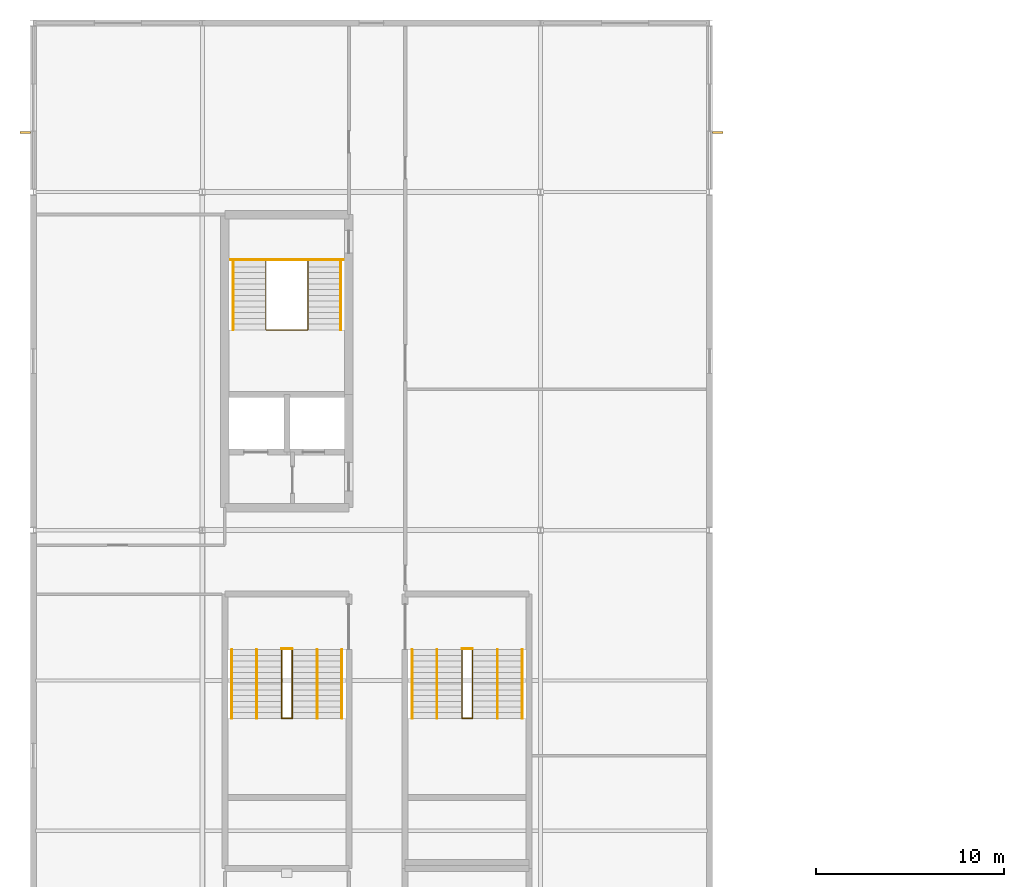
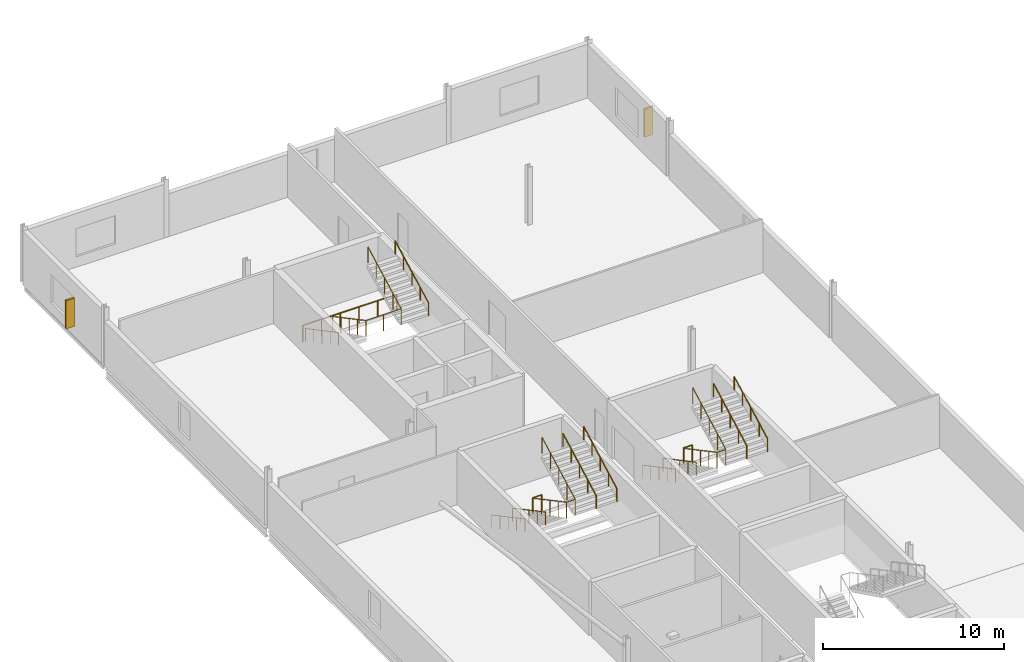
# One storey, part 28 of 31: 16 railings, 2 shading devices.
"""IFC4 building model written with IfcOpenShell, lengths in metres."""

from ifc_helpers import new_model, si_unit, direction, frame, origin, origin_2d, place, context, subcontext, project, spatial, rectangle, circle, extrude, material, type_object, element, save


model = new_model("IFC4")

# Units and contexts
model_context = context("Model", 3, precision=1e-05, world=origin(), true_north=direction((0.0, 1.0)))
body_context = subcontext(model_context, "Body", "Model", "MODEL_VIEW")
ifc_project = project(units=[si_unit("LENGTHUNIT", "METRE"), si_unit("AREAUNIT", "SQUARE_METRE"), si_unit("VOLUMEUNIT", "CUBIC_METRE"), si_unit("PLANEANGLEUNIT", "RADIAN"), si_unit("MASSUNIT", "GRAM", prefix="KILO")], contexts=[model_context])

# Site, building, storey
site_placement = place(None, origin())
site = spatial("IfcSite", under=ifc_project, at=site_placement, CompositionType="ELEMENT")
building_placement = place(site_placement, origin())
building = spatial("IfcBuilding", under=site, at=building_placement, Name="Kisiwana Market Hall", CompositionType="ELEMENT")
storey_placement = place(building_placement, frame((0.0, 0.0, 45.60009765625)))
storey = spatial("IfcBuildingStorey", under=building, at=storey_placement, Name="L10", CompositionType="ELEMENT", Elevation=45.60009765625)

# Railings
ifc_material_1 = material(Name="Steel S275", Category="steel")
railing_type_1 = type_object("IfcRailingType", Name="RL-GUARD-1100", PredefinedType="GUARDRAIL", material=ifc_material_1)
railing_1_placement = place(storey_placement, frame((12.375, 98.325439453125, 0.0)))
element("IfcRailing", 1, at=railing_1_placement, inside=storey, type_object=railing_type_1, Name="Stair ST-W1-L10 inner-well guardrail (RL-1287)", PredefinedType="GUARDRAIL", context=body_context, shape_type="SweptSolid", body=[
    extrude(circle(Radius=0.02392578125, at=origin_2d()), frame((0.0, 0.0, 1.076171875), z_axis=(0.0, -0.88255331184, 0.47021234752), x_axis=(1.0, 0.0, 0.0)), (0.0, 0.0, 1.0), 4.14697265625),
    extrude(circle(Radius=0.02392578125, at=origin_2d()), frame((0.0, -3.659912109375, 3.02587890625), z_axis=(1.0, 0.0, 0.0), x_axis=(0.0, 1.0, 0.0)), (0.0, 0.0, 1.0), 2.25),
    extrude(circle(Radius=0.02392578125, at=origin_2d()), frame((2.25, -3.659912109375, 3.02587890625), z_axis=(0.0, 0.88255331184, 0.47021234752), x_axis=(-1.0, 0.0, 0.0)), (0.0, 0.0, 1.0), 4.14697265625),
    extrude(circle(Radius=0.02099609375, at=origin_2d()), origin(), (0.0, 0.0, 1.0), 1.052001953125),
    extrude(circle(Radius=0.02099609375, at=origin_2d()), frame((0.0, -0.9150390625, 0.487548828125)), (0.0, 0.0, 1.0), 1.052001953125),
    extrude(circle(Radius=0.02099609375, at=origin_2d()), frame((0.0, -1.830078125, 0.97509765625)), (0.0, 0.0, 1.0), 1.052001953125),
    extrude(circle(Radius=0.02099609375, at=origin_2d()), frame((0.0, -2.744873046875, 1.46240234375)), (0.0, 0.0, 1.0), 1.052001953125),
    extrude(circle(Radius=0.02099609375, at=origin_2d()), frame((0.0, -3.659912109375, 1.949951171875)), (0.0, 0.0, 1.0), 1.052001953125),
    extrude(circle(Radius=0.02099609375, at=origin_2d()), frame((1.125, -3.659912109375, 1.949951171875)), (0.0, 0.0, 1.0), 1.052001953125),
    extrude(circle(Radius=0.02099609375, at=origin_2d()), frame((2.25, -3.659912109375, 1.949951171875)), (0.0, 0.0, 1.0), 1.052001953125),
    extrude(circle(Radius=0.02099609375, at=origin_2d()), frame((2.25, -2.744873046875, 2.4375)), (0.0, 0.0, 1.0), 1.052001953125),
    extrude(circle(Radius=0.02099609375, at=origin_2d()), frame((2.25, -1.830078125, 2.9248046875)), (0.0, 0.0, 1.0), 1.052001953125),
    extrude(circle(Radius=0.02099609375, at=origin_2d()), frame((2.25, -0.9150390625, 3.412353515625)), (0.0, 0.0, 1.0), 1.052001953125),
    extrude(circle(Radius=0.02099609375, at=origin_2d()), frame((2.25, 0.0, 3.89990234375)), (0.0, 0.0, 1.0), 1.052001953125),
])
railing_2_placement = place(storey_placement, frame((10.5048828125, 98.405517578125, 0.0)))
element("IfcRailing", 2, at=railing_2_placement, inside=storey, type_object=railing_type_1, Name="Stair ST-W1-L10 landing edge guardrail (RL-1290)", PredefinedType="GUARDRAIL", context=body_context, shape_type="SweptSolid", body=[
    extrude(circle(Radius=0.02392578125, at=origin_2d()), frame((0.0, 0.0, 1.076171875), z_axis=(1.0, 0.0, 0.0), x_axis=(0.0, 1.0, 0.0)), (0.0, 0.0, 1.0), 5.990234375),
    extrude(circle(Radius=0.02099609375, at=origin_2d()), origin(), (0.0, 0.0, 1.0), 1.052001953125),
    extrude(circle(Radius=0.02099609375, at=origin_2d()), frame((1.197998046875, 0.0, 0.0)), (0.0, 0.0, 1.0), 1.052001953125),
    extrude(circle(Radius=0.02099609375, at=origin_2d()), frame((2.39599609375, 0.0, 0.0)), (0.0, 0.0, 1.0), 1.052001953125),
    extrude(circle(Radius=0.02099609375, at=origin_2d()), frame((3.59423828125, 0.0, 0.0)), (0.0, 0.0, 1.0), 1.052001953125),
    extrude(circle(Radius=0.02099609375, at=origin_2d()), frame((4.792236328125, 0.0, 0.0)), (0.0, 0.0, 1.0), 1.052001953125),
    extrude(circle(Radius=0.02099609375, at=origin_2d()), frame((5.990234375, 0.0, 0.0)), (0.0, 0.0, 1.0), 1.052001953125),
])
railing_3_placement = place(storey_placement, frame((13.219970703125, 77.639892578125, 0.0)))
element("IfcRailing", 3, at=railing_3_placement, inside=storey, type_object=railing_type_1, Name="Stair ST-W4-L10 inner-well guardrail (RL-1305)", PredefinedType="GUARDRAIL", context=body_context, shape_type="SweptSolid", body=[
    extrude(circle(Radius=0.02392578125, at=origin_2d()), frame((0.0, 0.0, 1.076171875), z_axis=(0.0, -0.88255331184, 0.47021234752), x_axis=(1.0, 0.0, 0.0)), (0.0, 0.0, 1.0), 4.14697265625),
    extrude(circle(Radius=0.02392578125, at=origin_2d()), frame((0.0, -3.659912109375, 3.02587890625), z_axis=(1.0, 0.0, 0.0), x_axis=(0.0, 1.0, 0.0)), (0.0, 0.0, 1.0), 0.56005859375),
    extrude(circle(Radius=0.02392578125, at=origin_2d()), frame((0.56005859375, -3.659912109375, 3.02587890625), z_axis=(0.0, 0.88255331184, 0.47021234752), x_axis=(-1.0, 0.0, 0.0)), (0.0, 0.0, 1.0), 4.14697265625),
    extrude(circle(Radius=0.02099609375, at=origin_2d()), origin(), (0.0, 0.0, 1.0), 1.052001953125),
    extrude(circle(Radius=0.02099609375, at=origin_2d()), frame((0.0, -0.9150390625, 0.487548828125)), (0.0, 0.0, 1.0), 1.052001953125),
    extrude(circle(Radius=0.02099609375, at=origin_2d()), frame((0.0, -1.830078125, 0.97509765625)), (0.0, 0.0, 1.0), 1.052001953125),
    extrude(circle(Radius=0.02099609375, at=origin_2d()), frame((0.0, -2.744873046875, 1.46240234375)), (0.0, 0.0, 1.0), 1.052001953125),
    extrude(circle(Radius=0.02099609375, at=origin_2d()), frame((0.0, -3.659912109375, 1.949951171875)), (0.0, 0.0, 1.0), 1.052001953125),
    extrude(circle(Radius=0.02099609375, at=origin_2d()), frame((0.56005859375, -3.659912109375, 1.949951171875)), (0.0, 0.0, 1.0), 1.052001953125),
    extrude(circle(Radius=0.02099609375, at=origin_2d()), frame((0.56005859375, -2.744873046875, 2.4375)), (0.0, 0.0, 1.0), 1.052001953125),
    extrude(circle(Radius=0.02099609375, at=origin_2d()), frame((0.56005859375, -1.830078125, 2.9248046875)), (0.0, 0.0, 1.0), 1.052001953125),
    extrude(circle(Radius=0.02099609375, at=origin_2d()), frame((0.56005859375, -0.9150390625, 3.412353515625)), (0.0, 0.0, 1.0), 1.052001953125),
    extrude(circle(Radius=0.02099609375, at=origin_2d()), frame((0.56005859375, 0.0, 3.89990234375)), (0.0, 0.0, 1.0), 1.052001953125),
])
railing_4_placement = place(storey_placement, frame((13.219970703125, 77.68994140625, 0.0)))
element("IfcRailing", 4, at=railing_4_placement, inside=storey, type_object=railing_type_1, Name="Stair ST-W4-L10 landing edge guardrail (RL-1310)", PredefinedType="GUARDRAIL", context=body_context, shape_type="SweptSolid", body=[
    extrude(circle(Radius=0.02392578125, at=origin_2d()), frame((0.0, 0.0, 1.076171875), z_axis=(1.0, 0.0, 0.0), x_axis=(0.0, 1.0, 0.0)), (0.0, 0.0, 1.0), 0.56005859375),
    extrude(circle(Radius=0.02099609375, at=origin_2d()), origin(), (0.0, 0.0, 1.0), 1.052001953125),
    extrude(circle(Radius=0.02099609375, at=origin_2d()), frame((0.56005859375, 0.0, 0.0)), (0.0, 0.0, 1.0), 1.052001953125),
])
railing_5_placement = place(storey_placement, frame((22.820068359375, 77.639892578125, 0.0)))
element("IfcRailing", 5, at=railing_5_placement, inside=storey, type_object=railing_type_1, Name="Stair ST-W8-L10 inner-well guardrail (RL-1335)", PredefinedType="GUARDRAIL", context=body_context, shape_type="SweptSolid", body=[
    extrude(circle(Radius=0.02392578125, at=origin_2d()), frame((0.0, 0.0, 1.076171875), z_axis=(0.0, -0.88255331184, 0.47021234752), x_axis=(1.0, 0.0, 0.0)), (0.0, 0.0, 1.0), 4.14697265625),
    extrude(circle(Radius=0.02392578125, at=origin_2d()), frame((0.0, -3.659912109375, 3.02587890625), z_axis=(1.0, 0.0, 0.0), x_axis=(0.0, 1.0, 0.0)), (0.0, 0.0, 1.0), 0.559814453125),
    extrude(circle(Radius=0.02392578125, at=origin_2d()), frame((0.559814453125, -3.659912109375, 3.02587890625), z_axis=(0.0, 0.88255331184, 0.47021234752), x_axis=(-1.0, 0.0, 0.0)), (0.0, 0.0, 1.0), 4.14697265625),
    extrude(circle(Radius=0.02099609375, at=origin_2d()), origin(), (0.0, 0.0, 1.0), 1.052001953125),
    extrude(circle(Radius=0.02099609375, at=origin_2d()), frame((0.0, -0.9150390625, 0.487548828125)), (0.0, 0.0, 1.0), 1.052001953125),
    extrude(circle(Radius=0.02099609375, at=origin_2d()), frame((0.0, -1.830078125, 0.97509765625)), (0.0, 0.0, 1.0), 1.052001953125),
    extrude(circle(Radius=0.02099609375, at=origin_2d()), frame((0.0, -2.744873046875, 1.46240234375)), (0.0, 0.0, 1.0), 1.052001953125),
    extrude(circle(Radius=0.02099609375, at=origin_2d()), frame((0.0, -3.659912109375, 1.949951171875)), (0.0, 0.0, 1.0), 1.052001953125),
    extrude(circle(Radius=0.02099609375, at=origin_2d()), frame((0.559814453125, -3.659912109375, 1.949951171875)), (0.0, 0.0, 1.0), 1.052001953125),
    extrude(circle(Radius=0.02099609375, at=origin_2d()), frame((0.559814453125, -2.744873046875, 2.4375)), (0.0, 0.0, 1.0), 1.052001953125),
    extrude(circle(Radius=0.02099609375, at=origin_2d()), frame((0.559814453125, -1.830078125, 2.9248046875)), (0.0, 0.0, 1.0), 1.052001953125),
    extrude(circle(Radius=0.02099609375, at=origin_2d()), frame((0.559814453125, -0.9150390625, 3.412353515625)), (0.0, 0.0, 1.0), 1.052001953125),
    extrude(circle(Radius=0.02099609375, at=origin_2d()), frame((0.559814453125, 0.0, 3.89990234375)), (0.0, 0.0, 1.0), 1.052001953125),
])
railing_6_placement = place(storey_placement, frame((22.820068359375, 77.68994140625, 0.0)))
element("IfcRailing", 6, at=railing_6_placement, inside=storey, type_object=railing_type_1, Name="Stair ST-W8-L10 landing edge guardrail (RL-1340)", PredefinedType="GUARDRAIL", context=body_context, shape_type="SweptSolid", body=[
    extrude(circle(Radius=0.02392578125, at=origin_2d()), frame((0.0, 0.0, 1.076171875), z_axis=(1.0, 0.0, 0.0), x_axis=(0.0, 1.0, 0.0)), (0.0, 0.0, 1.0), 0.559814453125),
    extrude(circle(Radius=0.02099609375, at=origin_2d()), origin(), (0.0, 0.0, 1.0), 1.052001953125),
    extrude(circle(Radius=0.02099609375, at=origin_2d()), frame((0.559814453125, 0.0, 0.0)), (0.0, 0.0, 1.0), 1.052001953125),
])
ifc_material_2 = material(Name="Steel S275", Category="steel")
railing_type_2 = type_object("IfcRailingType", Name="RL-HAND-900", PredefinedType="HANDRAIL", material=ifc_material_2)
railing_7_placement = place(storey_placement, frame((10.635009765625, 98.325439453125, 0.0)))
element("IfcRailing", 7, at=railing_7_placement, inside=storey, type_object=railing_type_2, Name="Stair ST-W1-L10 flight 1 handrail (RL-1288)", PredefinedType="HANDRAIL", context=body_context, shape_type="SweptSolid", body=[
    extrude(circle(Radius=0.02392578125, at=origin_2d()), frame((0.0, 0.0, 0.8759765625), z_axis=(0.0, -0.88255331184, 0.47021234752), x_axis=(1.0, 0.0, 0.0)), (0.0, 0.0, 1.0), 4.14697265625),
    extrude(circle(Radius=0.02099609375, at=origin_2d()), origin(), (0.0, 0.0, 1.0), 0.851806640625),
    extrude(circle(Radius=0.02099609375, at=origin_2d()), frame((0.0, -0.9150390625, 0.487548828125)), (0.0, 0.0, 1.0), 0.851806640625),
    extrude(circle(Radius=0.02099609375, at=origin_2d()), frame((0.0, -1.830078125, 0.97509765625)), (0.0, 0.0, 1.0), 0.851806640625),
    extrude(circle(Radius=0.02099609375, at=origin_2d()), frame((0.0, -2.744873046875, 1.46240234375)), (0.0, 0.0, 1.0), 0.851806640625),
    extrude(circle(Radius=0.02099609375, at=origin_2d()), frame((0.0, -3.659912109375, 1.949951171875)), (0.0, 0.0, 1.0), 0.851806640625),
])
railing_8_placement = place(storey_placement, frame((16.364990234375, 94.66552734375, 1.949951171875)))
element("IfcRailing", 8, at=railing_8_placement, inside=storey, type_object=railing_type_2, Name="Stair ST-W1-L10 flight 2 handrail (RL-1289)", PredefinedType="HANDRAIL", context=body_context, shape_type="SweptSolid", body=[
    extrude(circle(Radius=0.02392578125, at=origin_2d()), frame((0.0, 0.0, 0.8759765625), z_axis=(0.0, 0.88255331184, 0.47021234752), x_axis=(-1.0, 0.0, 0.0)), (0.0, 0.0, 1.0), 4.14697265625),
    extrude(circle(Radius=0.02099609375, at=origin_2d()), origin(), (0.0, 0.0, 1.0), 0.851806640625),
    extrude(circle(Radius=0.02099609375, at=origin_2d()), frame((0.0, 0.9150390625, 0.487548828125)), (0.0, 0.0, 1.0), 0.851806640625),
    extrude(circle(Radius=0.02099609375, at=origin_2d()), frame((0.0, 1.830078125, 0.97509765625)), (0.0, 0.0, 1.0), 0.851806640625),
    extrude(circle(Radius=0.02099609375, at=origin_2d()), frame((0.0, 2.744873046875, 1.46240234375)), (0.0, 0.0, 1.0), 0.851806640625),
    extrude(circle(Radius=0.02099609375, at=origin_2d()), frame((0.0, 3.659912109375, 1.949951171875)), (0.0, 0.0, 1.0), 0.851806640625),
])
railing_9_placement = place(storey_placement, frame((10.570068359375, 77.639892578125, 0.0)))
element("IfcRailing", 9, at=railing_9_placement, inside=storey, type_object=railing_type_2, Name="Stair ST-W4-L10 flight 1 handrail (RL-1306)", PredefinedType="HANDRAIL", context=body_context, shape_type="SweptSolid", body=[
    extrude(circle(Radius=0.02392578125, at=origin_2d()), frame((0.0, 0.0, 0.8759765625), z_axis=(0.0, -0.88255331184, 0.47021234752), x_axis=(1.0, 0.0, 0.0)), (0.0, 0.0, 1.0), 4.14697265625),
    extrude(circle(Radius=0.02099609375, at=origin_2d()), origin(), (0.0, 0.0, 1.0), 0.851806640625),
    extrude(circle(Radius=0.02099609375, at=origin_2d()), frame((0.0, -0.9150390625, 0.487548828125)), (0.0, 0.0, 1.0), 0.851806640625),
    extrude(circle(Radius=0.02099609375, at=origin_2d()), frame((0.0, -1.830078125, 0.97509765625)), (0.0, 0.0, 1.0), 0.851806640625),
    extrude(circle(Radius=0.02099609375, at=origin_2d()), frame((0.0, -2.744873046875, 1.46240234375)), (0.0, 0.0, 1.0), 0.851806640625),
    extrude(circle(Radius=0.02099609375, at=origin_2d()), frame((0.0, -3.659912109375, 1.949951171875)), (0.0, 0.0, 1.0), 0.851806640625),
])
railing_10_placement = place(storey_placement, frame((16.429931640625, 73.97998046875, 1.949951171875)))
element("IfcRailing", 10, at=railing_10_placement, inside=storey, type_object=railing_type_2, Name="Stair ST-W4-L10 flight 2 handrail (RL-1307)", PredefinedType="HANDRAIL", context=body_context, shape_type="SweptSolid", body=[
    extrude(circle(Radius=0.02392578125, at=origin_2d()), frame((0.0, 0.0, 0.8759765625), z_axis=(0.0, 0.88255331184, 0.47021234752), x_axis=(-1.0, 0.0, 0.0)), (0.0, 0.0, 1.0), 4.14697265625),
    extrude(circle(Radius=0.02099609375, at=origin_2d()), origin(), (0.0, 0.0, 1.0), 0.851806640625),
    extrude(circle(Radius=0.02099609375, at=origin_2d()), frame((0.0, 0.9150390625, 0.487548828125)), (0.0, 0.0, 1.0), 0.851806640625),
    extrude(circle(Radius=0.02099609375, at=origin_2d()), frame((0.0, 1.830078125, 0.97509765625)), (0.0, 0.0, 1.0), 0.851806640625),
    extrude(circle(Radius=0.02099609375, at=origin_2d()), frame((0.0, 2.744873046875, 1.46240234375)), (0.0, 0.0, 1.0), 0.851806640625),
    extrude(circle(Radius=0.02099609375, at=origin_2d()), frame((0.0, 3.659912109375, 1.949951171875)), (0.0, 0.0, 1.0), 0.851806640625),
])
railing_11_placement = place(storey_placement, frame((11.889892578125, 77.639892578125, 0.0)))
element("IfcRailing", 11, at=railing_11_placement, inside=storey, type_object=railing_type_2, Name="Stair ST-W4-L10 flight 1 intermediate handrail (RL-1308)", PredefinedType="HANDRAIL", context=body_context, shape_type="SweptSolid", body=[
    extrude(circle(Radius=0.02392578125, at=origin_2d()), frame((0.0, 0.0, 0.8759765625), z_axis=(0.0, -0.88255331184, 0.47021234752), x_axis=(1.0, 0.0, 0.0)), (0.0, 0.0, 1.0), 4.14697265625),
    extrude(circle(Radius=0.02099609375, at=origin_2d()), origin(), (0.0, 0.0, 1.0), 0.851806640625),
    extrude(circle(Radius=0.02099609375, at=origin_2d()), frame((0.0, -0.9150390625, 0.487548828125)), (0.0, 0.0, 1.0), 0.851806640625),
    extrude(circle(Radius=0.02099609375, at=origin_2d()), frame((0.0, -1.830078125, 0.97509765625)), (0.0, 0.0, 1.0), 0.851806640625),
    extrude(circle(Radius=0.02099609375, at=origin_2d()), frame((0.0, -2.744873046875, 1.46240234375)), (0.0, 0.0, 1.0), 0.851806640625),
    extrude(circle(Radius=0.02099609375, at=origin_2d()), frame((0.0, -3.659912109375, 1.949951171875)), (0.0, 0.0, 1.0), 0.851806640625),
])
railing_12_placement = place(storey_placement, frame((15.110107421875, 73.97998046875, 1.949951171875)))
element("IfcRailing", 12, at=railing_12_placement, inside=storey, type_object=railing_type_2, Name="Stair ST-W4-L10 flight 2 intermediate handrail (RL-1309)", PredefinedType="HANDRAIL", context=body_context, shape_type="SweptSolid", body=[
    extrude(circle(Radius=0.02392578125, at=origin_2d()), frame((0.0, 0.0, 0.8759765625), z_axis=(0.0, 0.88255331184, 0.47021234752), x_axis=(-1.0, 0.0, 0.0)), (0.0, 0.0, 1.0), 4.14697265625),
    extrude(circle(Radius=0.02099609375, at=origin_2d()), origin(), (0.0, 0.0, 1.0), 0.851806640625),
    extrude(circle(Radius=0.02099609375, at=origin_2d()), frame((0.0, 0.9150390625, 0.487548828125)), (0.0, 0.0, 1.0), 0.851806640625),
    extrude(circle(Radius=0.02099609375, at=origin_2d()), frame((0.0, 1.830078125, 0.97509765625)), (0.0, 0.0, 1.0), 0.851806640625),
    extrude(circle(Radius=0.02099609375, at=origin_2d()), frame((0.0, 2.744873046875, 1.46240234375)), (0.0, 0.0, 1.0), 0.851806640625),
    extrude(circle(Radius=0.02099609375, at=origin_2d()), frame((0.0, 3.659912109375, 1.949951171875)), (0.0, 0.0, 1.0), 0.851806640625),
])
railing_13_placement = place(storey_placement, frame((20.169921875, 77.639892578125, 0.0)))
element("IfcRailing", 13, at=railing_13_placement, inside=storey, type_object=railing_type_2, Name="Stair ST-W8-L10 flight 1 handrail (RL-1336)", PredefinedType="HANDRAIL", context=body_context, shape_type="SweptSolid", body=[
    extrude(circle(Radius=0.02392578125, at=origin_2d()), frame((0.0, 0.0, 0.8759765625), z_axis=(0.0, -0.88255331184, 0.47021234752), x_axis=(1.0, 0.0, 0.0)), (0.0, 0.0, 1.0), 4.14697265625),
    extrude(circle(Radius=0.02099609375, at=origin_2d()), origin(), (0.0, 0.0, 1.0), 0.851806640625),
    extrude(circle(Radius=0.02099609375, at=origin_2d()), frame((0.0, -0.9150390625, 0.487548828125)), (0.0, 0.0, 1.0), 0.851806640625),
    extrude(circle(Radius=0.02099609375, at=origin_2d()), frame((0.0, -1.830078125, 0.97509765625)), (0.0, 0.0, 1.0), 0.851806640625),
    extrude(circle(Radius=0.02099609375, at=origin_2d()), frame((0.0, -2.744873046875, 1.46240234375)), (0.0, 0.0, 1.0), 0.851806640625),
    extrude(circle(Radius=0.02099609375, at=origin_2d()), frame((0.0, -3.659912109375, 1.949951171875)), (0.0, 0.0, 1.0), 0.851806640625),
])
railing_14_placement = place(storey_placement, frame((26.030029296875, 73.97998046875, 1.949951171875)))
element("IfcRailing", 14, at=railing_14_placement, inside=storey, type_object=railing_type_2, Name="Stair ST-W8-L10 flight 2 handrail (RL-1337)", PredefinedType="HANDRAIL", context=body_context, shape_type="SweptSolid", body=[
    extrude(circle(Radius=0.02392578125, at=origin_2d()), frame((0.0, 0.0, 0.8759765625), z_axis=(0.0, 0.88255331184, 0.47021234752), x_axis=(-1.0, 0.0, 0.0)), (0.0, 0.0, 1.0), 4.14697265625),
    extrude(circle(Radius=0.02099609375, at=origin_2d()), origin(), (0.0, 0.0, 1.0), 0.851806640625),
    extrude(circle(Radius=0.02099609375, at=origin_2d()), frame((0.0, 0.9150390625, 0.487548828125)), (0.0, 0.0, 1.0), 0.851806640625),
    extrude(circle(Radius=0.02099609375, at=origin_2d()), frame((0.0, 1.830078125, 0.97509765625)), (0.0, 0.0, 1.0), 0.851806640625),
    extrude(circle(Radius=0.02099609375, at=origin_2d()), frame((0.0, 2.744873046875, 1.46240234375)), (0.0, 0.0, 1.0), 0.851806640625),
    extrude(circle(Radius=0.02099609375, at=origin_2d()), frame((0.0, 3.659912109375, 1.949951171875)), (0.0, 0.0, 1.0), 0.851806640625),
])
railing_15_placement = place(storey_placement, frame((21.489990234375, 77.639892578125, 0.0)))
element("IfcRailing", 15, at=railing_15_placement, inside=storey, type_object=railing_type_2, Name="Stair ST-W8-L10 flight 1 intermediate handrail (RL-1338)", PredefinedType="HANDRAIL", context=body_context, shape_type="SweptSolid", body=[
    extrude(circle(Radius=0.02392578125, at=origin_2d()), frame((0.0, 0.0, 0.8759765625), z_axis=(0.0, -0.88255331184, 0.47021234752), x_axis=(1.0, 0.0, 0.0)), (0.0, 0.0, 1.0), 4.14697265625),
    extrude(circle(Radius=0.02099609375, at=origin_2d()), origin(), (0.0, 0.0, 1.0), 0.851806640625),
    extrude(circle(Radius=0.02099609375, at=origin_2d()), frame((0.0, -0.9150390625, 0.487548828125)), (0.0, 0.0, 1.0), 0.851806640625),
    extrude(circle(Radius=0.02099609375, at=origin_2d()), frame((0.0, -1.830078125, 0.97509765625)), (0.0, 0.0, 1.0), 0.851806640625),
    extrude(circle(Radius=0.02099609375, at=origin_2d()), frame((0.0, -2.744873046875, 1.46240234375)), (0.0, 0.0, 1.0), 0.851806640625),
    extrude(circle(Radius=0.02099609375, at=origin_2d()), frame((0.0, -3.659912109375, 1.949951171875)), (0.0, 0.0, 1.0), 0.851806640625),
])
railing_16_placement = place(storey_placement, frame((24.7099609375, 73.97998046875, 1.949951171875)))
element("IfcRailing", 16, at=railing_16_placement, inside=storey, type_object=railing_type_2, Name="Stair ST-W8-L10 flight 2 intermediate handrail (RL-1339)", PredefinedType="HANDRAIL", context=body_context, shape_type="SweptSolid", body=[
    extrude(circle(Radius=0.02392578125, at=origin_2d()), frame((0.0, 0.0, 0.8759765625), z_axis=(0.0, 0.88255331184, 0.47021234752), x_axis=(-1.0, 0.0, 0.0)), (0.0, 0.0, 1.0), 4.14697265625),
    extrude(circle(Radius=0.02099609375, at=origin_2d()), origin(), (0.0, 0.0, 1.0), 0.851806640625),
    extrude(circle(Radius=0.02099609375, at=origin_2d()), frame((0.0, 0.9150390625, 0.487548828125)), (0.0, 0.0, 1.0), 0.851806640625),
    extrude(circle(Radius=0.02099609375, at=origin_2d()), frame((0.0, 1.830078125, 0.97509765625)), (0.0, 0.0, 1.0), 0.851806640625),
    extrude(circle(Radius=0.02099609375, at=origin_2d()), frame((0.0, 2.744873046875, 1.46240234375)), (0.0, 0.0, 1.0), 0.851806640625),
    extrude(circle(Radius=0.02099609375, at=origin_2d()), frame((0.0, 3.659912109375, 1.949951171875)), (0.0, 0.0, 1.0), 0.851806640625),
])

# Shading devices
ifc_material_3 = material(Name="Aluminium alloy 6063-T6", Category="aluminium")
shading_device_type = type_object("IfcShadingDeviceType", Name="SHD-SHUTTER-V", PredefinedType="SHUTTER", material=ifc_material_3)
for number, where, z_axis, x_axis, name in (
    (17, (-0.4326171875, 105.169921875, 0.699951171875), (0.0, 0.0, 1.0), (0.0, 1.0, 0.0), "Vertical solar fin SHD-198 SD-197"),
    (18, (36.4326171875, 105.169921875, 0.699951171875), (0.0, 0.0, 1.0), (0.0, 1.0, 0.0), "Vertical solar fin SHD-200 SD-199"),
):
    element("IfcShadingDevice", number, at=place(storey_placement, frame(where, z_axis=z_axis, x_axis=x_axis)), inside=storey, type_object=shading_device_type, Name=name, PredefinedType="SHUTTER", context=body_context, shape_type="SweptSolid", body=[
        extrude(rectangle(XDim=0.1201171875, YDim=0.550048828125, at=origin_2d()), origin(), (0.0, 0.0, 1.0), 1.89990234375),
    ])

save(model, "model.ifc")
